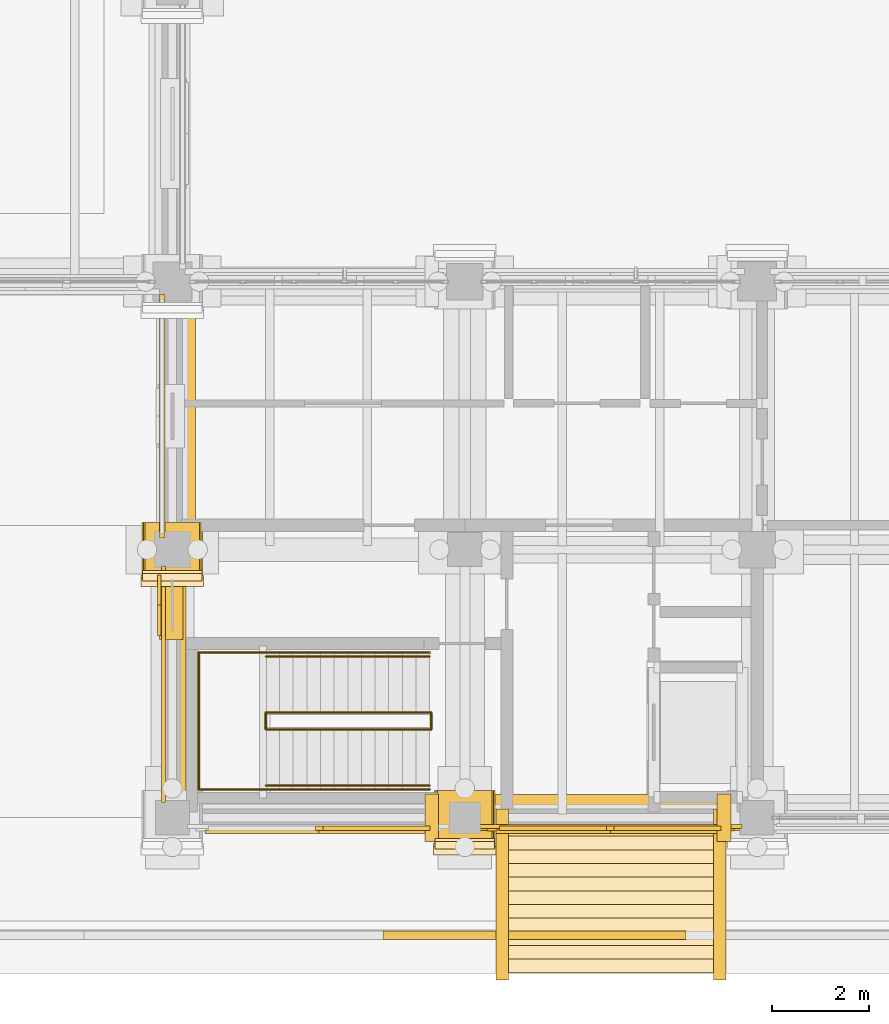
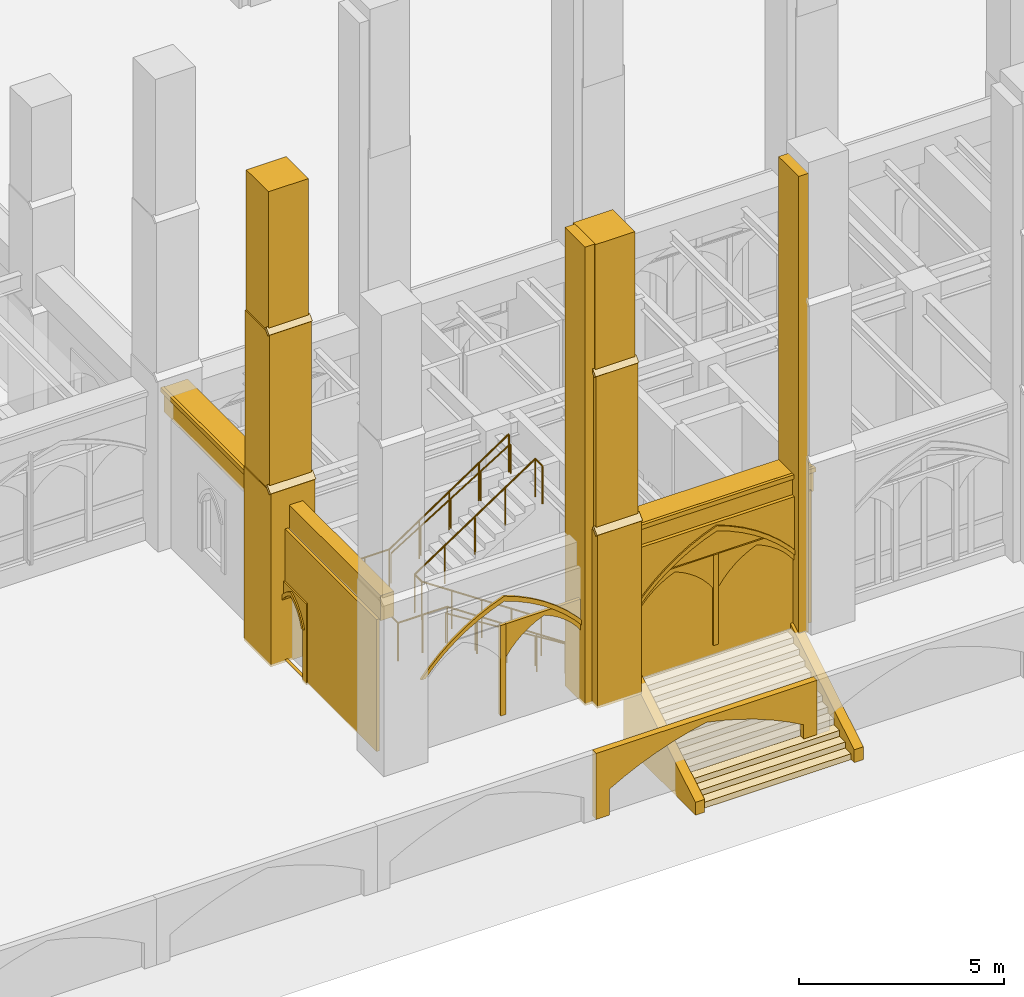
# One storey, part 75 of 135: 33 coverings, 6 railings.
"""IFC4 building model written with IfcOpenShell, lengths in metres."""

from ifc_helpers import new_model, si_unit, direction, frame, origin, origin_2d, place, context, subcontext, project, spatial, polyline, rectangle, circle, outline, extrude, material, type_object, element, save


model = new_model("IFC4")

# Units and contexts
model_context = context("Model", 3, precision=1e-05, world=origin(), true_north=direction((0.0, 1.0)))
body_context = subcontext(model_context, "Body", "Model", "MODEL_VIEW")
ifc_project = project(units=[si_unit("LENGTHUNIT", "METRE"), si_unit("AREAUNIT", "SQUARE_METRE"), si_unit("VOLUMEUNIT", "CUBIC_METRE"), si_unit("PLANEANGLEUNIT", "RADIAN"), si_unit("MASSUNIT", "GRAM", prefix="KILO")], contexts=[model_context])

# Site, building, storey
site_placement = place(None, origin())
site = spatial("IfcSite", under=ifc_project, at=site_placement, CompositionType="ELEMENT")
building_placement = place(site_placement, origin())
building = spatial("IfcBuilding", under=site, at=building_placement, Name="Cumevento Cable Car Station", CompositionType="ELEMENT")
storey_placement = place(building_placement, origin())
storey = spatial("IfcBuildingStorey", under=building, at=storey_placement, Name="L01", CompositionType="ELEMENT", Elevation=0.0)

# Railings
ifc_material_1 = material(Name="Painted Galvanised Architectural Steel", Category="steel")
railing_type_1 = type_object("IfcRailingType", Name="Stair Guardrail GR-S115", PredefinedType="GUARDRAIL", material=ifc_material_1)
railing_1_placement = place(storey_placement, frame((27.280029296875, 5.81005859375, 0.0)))
element("IfcRailing", 1, at=railing_1_placement, inside=storey, type_object=railing_type_1, Name="Stair Well Inner Guardrail ST-02-L01", PredefinedType="GUARDRAIL", context=body_context, shape_type="SweptSolid", body=[
    extrude(circle(Radius=0.02392578125, at=origin_2d()), frame((0.0, 0.0, 1.1259765625), z_axis=(-0.830915400975, 0.0, 0.556398774641), x_axis=(0.0, -1.0, 0.0)), (0.0, 0.0, 1.0), 4.0439453125),
    extrude(circle(Radius=0.02392578125, at=origin_2d()), frame((-3.360107421875, 0.0, 3.3759765625), z_axis=(0.0, 1.0, 0.0), x_axis=(-1.0, 0.0, 0.0)), (0.0, 0.0, 1.0), 0.349853515625),
    extrude(circle(Radius=0.02392578125, at=origin_2d()), frame((-3.360107421875, 0.349853515625, 3.3759765625), z_axis=(0.833193183746, 0.0, 0.552982023722), x_axis=(0.0, 1.0, 0.0)), (0.0, 0.0, 1.0), 4.06884765625),
    extrude(circle(Radius=0.02392578125, at=origin_2d()), frame((0.030029296875, 0.349853515625, 5.6259765625), z_axis=(0.0, -1.0, 0.0), x_axis=(1.0, 0.0, 0.0)), (0.0, 0.0, 1.0), 0.349853515625),
    extrude(circle(Radius=0.02001953125, at=origin_2d()), origin(), (0.0, 0.0, 1.0), 1.101806640625),
    extrude(circle(Radius=0.02001953125, at=origin_2d()), frame((-0.840087890625, 0.0, 0.5625)), (0.0, 0.0, 1.0), 1.101806640625),
    extrude(circle(Radius=0.02001953125, at=origin_2d()), frame((-1.68017578125, 0.0, 1.125)), (0.0, 0.0, 1.0), 1.101806640625),
    extrude(circle(Radius=0.02001953125, at=origin_2d()), frame((-2.52001953125, 0.0, 1.6875)), (0.0, 0.0, 1.0), 1.101806640625),
    extrude(circle(Radius=0.02001953125, at=origin_2d()), frame((-3.360107421875, 0.0, 2.25)), (0.0, 0.0, 1.0), 1.101806640625),
    extrude(circle(Radius=0.02001953125, at=origin_2d()), frame((-3.360107421875, 0.349853515625, 2.25)), (0.0, 0.0, 1.0), 1.101806640625),
    extrude(circle(Radius=0.02001953125, at=origin_2d()), frame((-2.5126953125, 0.349853515625, 2.8125)), (0.0, 0.0, 1.0), 1.101806640625),
    extrude(circle(Radius=0.02001953125, at=origin_2d()), frame((-1.6650390625, 0.349853515625, 3.375)), (0.0, 0.0, 1.0), 1.101806640625),
    extrude(circle(Radius=0.02001953125, at=origin_2d()), frame((-0.8173828125, 0.349853515625, 3.9375)), (0.0, 0.0, 1.0), 1.101806640625),
    extrude(circle(Radius=0.02001953125, at=origin_2d()), frame((0.030029296875, 0.349853515625, 4.5)), (0.0, 0.0, 1.0), 1.101806640625),
    extrude(circle(Radius=0.02001953125, at=origin_2d()), frame((0.030029296875, 0.0, 4.5)), (0.0, 0.0, 1.0), 1.101806640625),
])
railing_2_placement = place(storey_placement, frame((23.919921875, 4.580078125, 2.25)))
element("IfcRailing", 2, at=railing_2_placement, inside=storey, type_object=railing_type_1, Name="Stair Half-Landing Guardrail ST-02-L01", PredefinedType="GUARDRAIL", context=body_context, shape_type="SweptSolid", body=[
    extrude(circle(Radius=0.02392578125, at=origin_2d()), frame((0.0, 0.0, 1.1259765625), z_axis=(-1.0, 0.0, 0.0), x_axis=(0.0, -1.0, 0.0)), (0.0, 0.0, 1.0), 1.3798828125),
    extrude(circle(Radius=0.02392578125, at=origin_2d()), frame((-1.3798828125, 0.0, 1.1259765625), z_axis=(0.0, 1.0, 0.0), x_axis=(-1.0, 0.0, 0.0)), (0.0, 0.0, 1.0), 2.809814453125),
    extrude(circle(Radius=0.02392578125, at=origin_2d()), frame((-1.3798828125, 2.809814453125, 1.1259765625), z_axis=(1.0, 0.0, 0.0), x_axis=(0.0, 1.0, 0.0)), (0.0, 0.0, 1.0), 1.3798828125),
    extrude(circle(Radius=0.02001953125, at=origin_2d()), origin(), (0.0, 0.0, 1.0), 1.101806640625),
    extrude(circle(Radius=0.02001953125, at=origin_2d()), frame((-0.68994140625, 0.0, 0.0)), (0.0, 0.0, 1.0), 1.101806640625),
    extrude(circle(Radius=0.02001953125, at=origin_2d()), frame((-1.3798828125, 0.0, 0.0)), (0.0, 0.0, 1.0), 1.101806640625),
    extrude(circle(Radius=0.02001953125, at=origin_2d()), frame((-1.3798828125, 0.9365234375, 0.0)), (0.0, 0.0, 1.0), 1.101806640625),
    extrude(circle(Radius=0.02001953125, at=origin_2d()), frame((-1.3798828125, 1.873291015625, 0.0)), (0.0, 0.0, 1.0), 1.101806640625),
    extrude(circle(Radius=0.02001953125, at=origin_2d()), frame((-1.3798828125, 2.809814453125, 0.0)), (0.0, 0.0, 1.0), 1.101806640625),
    extrude(circle(Radius=0.02001953125, at=origin_2d()), frame((-0.68994140625, 2.809814453125, 0.0)), (0.0, 0.0, 1.0), 1.101806640625),
    extrude(circle(Radius=0.02001953125, at=origin_2d()), frame((0.0, 2.809814453125, 0.0)), (0.0, 0.0, 1.0), 1.101806640625),
])
railing_3_placement = place(storey_placement, frame((27.280029296875, 4.580078125, 0.0)))
element("IfcRailing", 3, at=railing_3_placement, inside=storey, type_object=railing_type_1, Name="Stair Outer Guardrail ST-02-L01 F1", PredefinedType="GUARDRAIL", context=body_context, shape_type="SweptSolid", body=[
    extrude(circle(Radius=0.02392578125, at=origin_2d()), frame((0.0, 0.0, 1.1259765625), z_axis=(-0.830915400975, 0.0, 0.556398774641), x_axis=(0.0, -1.0, 0.0)), (0.0, 0.0, 1.0), 4.0439453125),
    extrude(circle(Radius=0.02001953125, at=origin_2d()), origin(), (0.0, 0.0, 1.0), 1.101806640625),
    extrude(circle(Radius=0.02001953125, at=origin_2d()), frame((-0.840087890625, 0.0, 0.5625)), (0.0, 0.0, 1.0), 1.101806640625),
    extrude(circle(Radius=0.02001953125, at=origin_2d()), frame((-1.68017578125, 0.0, 1.125)), (0.0, 0.0, 1.0), 1.101806640625),
    extrude(circle(Radius=0.02001953125, at=origin_2d()), frame((-2.52001953125, 0.0, 1.6875)), (0.0, 0.0, 1.0), 1.101806640625),
    extrude(circle(Radius=0.02001953125, at=origin_2d()), frame((-3.360107421875, 0.0, 2.25)), (0.0, 0.0, 1.0), 1.101806640625),
])
railing_4_placement = place(storey_placement, frame((23.919921875, 7.389892578125, 2.25)))
element("IfcRailing", 4, at=railing_4_placement, inside=storey, type_object=railing_type_1, Name="Stair Outer Guardrail ST-02-L01 F2", PredefinedType="GUARDRAIL", context=body_context, shape_type="SweptSolid", body=[
    extrude(circle(Radius=0.02392578125, at=origin_2d()), frame((0.0, 0.0, 1.1259765625), z_axis=(0.830915400975, 0.0, 0.556398774641), x_axis=(0.0, 1.0, 0.0)), (0.0, 0.0, 1.0), 4.0439453125),
    extrude(circle(Radius=0.02001953125, at=origin_2d()), origin(), (0.0, 0.0, 1.0), 1.101806640625),
    extrude(circle(Radius=0.02001953125, at=origin_2d()), frame((0.840087890625, 0.0, 0.5625)), (0.0, 0.0, 1.0), 1.101806640625),
    extrude(circle(Radius=0.02001953125, at=origin_2d()), frame((1.68017578125, 0.0, 1.125)), (0.0, 0.0, 1.0), 1.101806640625),
    extrude(circle(Radius=0.02001953125, at=origin_2d()), frame((2.52001953125, 0.0, 1.6875)), (0.0, 0.0, 1.0), 1.101806640625),
    extrude(circle(Radius=0.02001953125, at=origin_2d()), frame((3.360107421875, 0.0, 2.25)), (0.0, 0.0, 1.0), 1.101806640625),
])
ifc_material_2 = material(Name="Brushed Stainless Steel Handrail Tube", Category="steel")
railing_type_2 = type_object("IfcRailingType", Name="Stair Handrail HR-090", PredefinedType="HANDRAIL", material=ifc_material_2)
railing_5_placement = place(storey_placement, frame((27.280029296875, 4.659912109375, 0.17626953125)))
element("IfcRailing", 5, at=railing_5_placement, inside=storey, type_object=railing_type_2, Name="Stair Pitch Handrail ST-02-L01 F1", PredefinedType="HANDRAIL", context=body_context, shape_type="SweptSolid", body=[
    extrude(circle(Radius=0.02099609375, at=origin_2d()), frame((0.0, 0.0, 0.87890625), z_axis=(-0.850623216509, 0.0, 0.525775754039), x_axis=(0.0, -1.0, 0.0)), (0.0, 0.0, 1.0), 3.9501953125),
    extrude(circle(Radius=0.01611328125, at=origin_2d()), origin(), (0.0, 0.0, 1.0), 0.85791015625),
    extrude(circle(Radius=0.01611328125, at=origin_2d()), frame((-0.840087890625, 0.0, 0.519287109375)), (0.0, 0.0, 1.0), 0.85791015625),
    extrude(circle(Radius=0.01611328125, at=origin_2d()), frame((-1.68017578125, 0.0, 1.03857421875)), (0.0, 0.0, 1.0), 0.85791015625),
    extrude(circle(Radius=0.01611328125, at=origin_2d()), frame((-2.52001953125, 0.0, 1.5576171875)), (0.0, 0.0, 1.0), 0.85791015625),
    extrude(circle(Radius=0.01611328125, at=origin_2d()), frame((-3.360107421875, 0.0, 2.076904296875)), (0.0, 0.0, 1.0), 0.85791015625),
])
railing_6_placement = place(storey_placement, frame((23.919921875, 7.31005859375, 2.42626953125)))
element("IfcRailing", 6, at=railing_6_placement, inside=storey, type_object=railing_type_2, Name="Stair Pitch Handrail ST-02-L01 F2", PredefinedType="HANDRAIL", context=body_context, shape_type="SweptSolid", body=[
    extrude(circle(Radius=0.02099609375, at=origin_2d()), frame((0.0, 0.0, 0.87890625), z_axis=(0.850623216509, 0.0, 0.525775754039), x_axis=(0.0, 1.0, 0.0)), (0.0, 0.0, 1.0), 3.9501953125),
    extrude(circle(Radius=0.01611328125, at=origin_2d()), origin(), (0.0, 0.0, 1.0), 0.85791015625),
    extrude(circle(Radius=0.01611328125, at=origin_2d()), frame((0.840087890625, 0.0, 0.519287109375)), (0.0, 0.0, 1.0), 0.85791015625),
    extrude(circle(Radius=0.01611328125, at=origin_2d()), frame((1.68017578125, 0.0, 1.03857421875)), (0.0, 0.0, 1.0), 0.85791015625),
    extrude(circle(Radius=0.01611328125, at=origin_2d()), frame((2.52001953125, 0.0, 1.5576171875)), (0.0, 0.0, 1.0), 0.85791015625),
    extrude(circle(Radius=0.01611328125, at=origin_2d()), frame((3.360107421875, 0.0, 2.076904296875)), (0.0, 0.0, 1.0), 0.85791015625),
])

# Coverings
ifc_material_3 = material(Name="Gnaisse Facoidal Stone Ashlar 85 MPa", Category="masonry")
covering_type = type_object("IfcCoveringType", Name="Gnaisse Ashlar Cladding CV-CL01", PredefinedType="CLADDING", material=ifc_material_3)
covering_1_placement = place(storey_placement, frame((22.0, 9.409912109375, -0.06005859375), z_axis=(0.0, 0.0, 1.0), x_axis=(1.0, 0.0, 0.0)))
element("IfcCovering", 7, at=covering_1_placement, inside=storey, type_object=covering_type, Name="Stepped Gothic Stone Buttress Tier 1 bt:22.0:9.5", PredefinedType="CLADDING", context=body_context, shape_type="SweptSolid", body=[
    extrude(rectangle(XDim=1.239990234375, YDim=1.300048828125, at=origin_2d()), origin(), (0.0, 0.0, 1.0), 5.175537109375),
])
covering_2_placement = place(storey_placement, frame((21.360107421875, 8.739990234375, 5.095703125), z_axis=(0.0, -0.711135781079, 0.703054692658), x_axis=(1.0, 0.0, 0.0)))
element("IfcCovering", 8, at=covering_2_placement, inside=storey, type_object=covering_type, Name="Gothic Buttress Sloped Stone Weathering 1 bt:22.0:9.5", PredefinedType="CLADDING", context=body_context, shape_type="SweptSolid", body=[
    extrude(outline(polyline([(0.0, 0.0), (1.27978515625, 0.0), (1.27978515625, 0.24169083397703695), (0.0, 0.24169083397703695), (0.0, 0.0)])), origin(), (0.0, 0.0, -1.0), 0.090087890625),
])
covering_3_placement = place(storey_placement, frame((22.0, 9.469970703125, 4.84326171875), z_axis=(0.0, 0.0, 1.0), x_axis=(1.0, 0.0, 0.0)))
element("IfcCovering", 9, at=covering_3_placement, inside=storey, type_object=covering_type, Name="Stepped Gothic Stone Buttress Tier 2 bt:22.0:9.5", PredefinedType="CLADDING", context=body_context, shape_type="SweptSolid", body=[
    extrude(rectangle(XDim=1.179931640625, YDim=1.179931640625, at=origin_2d()), origin(), (0.0, 0.0, 1.0), 4.9033203125),
])
covering_4_placement = place(storey_placement, frame((21.389892578125, 8.860107421875, 9.726318359375), z_axis=(0.0, -0.714474823669, 0.699661151089), x_axis=(1.0, 0.0, 0.0)))
element("IfcCovering", 10, at=covering_4_placement, inside=storey, type_object=covering_type, Name="Gothic Buttress Sloped Stone Weathering 2 bt:22.0:9.5", PredefinedType="CLADDING", context=body_context, shape_type="SweptSolid", body=[
    extrude(outline(polyline([(0.0, 0.0), (1.22021484375, 0.0), (1.22021484375, 0.21424991728737655), (0.0, 0.21424991728737655), (0.0, 0.0)])), origin(), (0.0, 0.0, -1.0), 0.090087890625),
])
covering_5_placement = place(storey_placement, frame((22.0, 9.52001953125, 9.47412109375), z_axis=(0.0, 0.0, 1.0), x_axis=(1.0, 0.0, 0.0)))
element("IfcCovering", 11, at=covering_5_placement, inside=storey, type_object=covering_type, Name="Stepped Gothic Stone Buttress Tier 3 bt:22.0:9.5", PredefinedType="CLADDING", context=body_context, shape_type="SweptSolid", body=[
    extrude(rectangle(XDim=1.1201171875, YDim=1.080078125, at=origin_2d()), origin(), (0.0, 0.0, 1.0), 4.426025390625),
])
covering_6_placement = place(storey_placement, frame((28.0, 3.909912109375, -0.06005859375), z_axis=(0.0, 0.0, 1.0), x_axis=(1.0, 0.0, 0.0)))
element("IfcCovering", 12, at=covering_6_placement, inside=storey, type_object=covering_type, Name="Stepped Gothic Stone Buttress Tier 1 bt:28.0:4.0", PredefinedType="CLADDING", context=body_context, shape_type="SweptSolid", body=[
    extrude(rectangle(XDim=1.239990234375, YDim=1.300048828125, at=origin_2d()), origin(), (0.0, 0.0, 1.0), 5.175537109375),
])
covering_7_placement = place(storey_placement, frame((27.360107421875, 3.239990234375, 5.095703125), z_axis=(0.0, -0.711135781079, 0.703054692658), x_axis=(1.0, 0.0, 0.0)))
element("IfcCovering", 13, at=covering_7_placement, inside=storey, type_object=covering_type, Name="Gothic Buttress Sloped Stone Weathering 1 bt:28.0:4.0", PredefinedType="CLADDING", context=body_context, shape_type="SweptSolid", body=[
    extrude(outline(polyline([(0.0, 0.0), (1.27978515625, 0.0), (1.27978515625, 0.24169083397703695), (0.0, 0.24169083397703695), (0.0, 0.0)])), origin(), (0.0, 0.0, -1.0), 0.090087890625),
])
covering_8_placement = place(storey_placement, frame((28.0, 3.969970703125, 4.84326171875), z_axis=(0.0, 0.0, 1.0), x_axis=(1.0, 0.0, 0.0)))
element("IfcCovering", 14, at=covering_8_placement, inside=storey, type_object=covering_type, Name="Stepped Gothic Stone Buttress Tier 2 bt:28.0:4.0", PredefinedType="CLADDING", context=body_context, shape_type="SweptSolid", body=[
    extrude(rectangle(XDim=1.179931640625, YDim=1.179931640625, at=origin_2d()), origin(), (0.0, 0.0, 1.0), 4.9033203125),
])
covering_9_placement = place(storey_placement, frame((27.389892578125, 3.360107421875, 9.726318359375), z_axis=(0.0, -0.714474823669, 0.699661151089), x_axis=(1.0, 0.0, 0.0)))
element("IfcCovering", 15, at=covering_9_placement, inside=storey, type_object=covering_type, Name="Gothic Buttress Sloped Stone Weathering 2 bt:28.0:4.0", PredefinedType="CLADDING", context=body_context, shape_type="SweptSolid", body=[
    extrude(outline(polyline([(0.0, 0.0), (1.22021484375, 0.0), (1.22021484375, 0.21424991728737655), (0.0, 0.21424991728737655), (0.0, 0.0)])), origin(), (0.0, 0.0, -1.0), 0.090087890625),
])
covering_10_placement = place(storey_placement, frame((28.0, 4.02001953125, 9.47412109375), z_axis=(0.0, 0.0, 1.0), x_axis=(1.0, 0.0, 0.0)))
element("IfcCovering", 16, at=covering_10_placement, inside=storey, type_object=covering_type, Name="Stepped Gothic Stone Buttress Tier 3 bt:28.0:4.0", PredefinedType="CLADDING", context=body_context, shape_type="SweptSolid", body=[
    extrude(rectangle(XDim=1.1201171875, YDim=1.080078125, at=origin_2d()), origin(), (0.0, 0.0, 1.0), 4.0859375),
])
for number, where, z_axis, x_axis, name in (
    (17, (27.320068359375, 4.0, -0.06005859375), (0.0, 0.0, 1.0), (1.0, 0.0, 0.0), "Corner Buttress Stone Return (28.0,4.0)"),
    (18, (33.320068359375, 4.0, -0.06005859375), (0.0, 0.0, 1.0), (1.0, 0.0, 0.0), "Corner Buttress Stone Return (34.0,4.0)"),
):
    element("IfcCovering", number, at=place(storey_placement, frame(where, z_axis=z_axis, x_axis=x_axis)), inside=storey, type_object=covering_type, Name=name, PredefinedType="CLADDING", context=body_context, shape_type="SweptSolid", body=[
        extrude(rectangle(XDim=0.280029296875, YDim=0.97998046875, at=origin_2d()), origin(), (0.0, 0.0, 1.0), 13.6201171875),
    ])
covering_11_placement = place(storey_placement, frame((30.987548828125, 4.14990234375, 3.821044921875), z_axis=(0.0, 0.0, 1.0), x_axis=(-1.0, 0.0, 0.0)))
element("IfcCovering", 19, at=covering_11_placement, inside=storey, type_object=covering_type, Name="Gothic Stone Spandrel Stringcourse sc:0002", PredefinedType="CLADDING", context=body_context, shape_type="SweptSolid", body=[
    extrude(rectangle(XDim=5.56494140625, YDim=0.659912109375, at=origin_2d()), origin(), (0.0, 0.0, 1.0), 0.7470703125),
])
covering_12_placement = place(storey_placement, frame((30.987548828125, 3.79248046875, 4.43798828125), z_axis=(0.0, 0.0, 1.0), x_axis=(-1.0, 0.0, 0.0)))
element("IfcCovering", 20, at=covering_12_placement, inside=storey, type_object=covering_type, Name="Gothic Cornice Dripstone Lip sc:0002", PredefinedType="CLADDING", context=body_context, shape_type="SweptSolid", body=[
    extrude(rectangle(XDim=5.60498046875, YDim=0.114990234375, at=origin_2d()), origin(), (0.0, 0.0, 1.0), 0.1298828125),
])
covering_13_placement = place(storey_placement, frame((22.090087890625, 6.737548828125, 3.821044921875), z_axis=(0.0, 0.0, 1.0), x_axis=(0.0, 1.0, 0.0)))
element("IfcCovering", 21, at=covering_13_placement, inside=storey, type_object=covering_type, Name="Gothic Stone Spandrel Stringcourse sc:0009", PredefinedType="CLADDING", context=body_context, shape_type="SweptSolid", body=[
    extrude(rectangle(XDim=4.8349609375, YDim=0.3798828125, at=origin_2d()), origin(), (0.0, 0.0, 1.0), 0.7470703125),
])
covering_14_placement = place(storey_placement, frame((22.14990234375, 12.237548828125, 3.7490234375), z_axis=(0.0, 0.0, 1.0), x_axis=(0.0, 1.0, 0.0)))
element("IfcCovering", 22, at=covering_14_placement, inside=storey, type_object=covering_type, Name="Gothic Stone Spandrel Stringcourse sc:0010", PredefinedType="CLADDING", context=body_context, shape_type="SweptSolid", body=[
    extrude(rectangle(XDim=4.965087890625, YDim=0.659912109375, at=origin_2d()), origin(), (0.0, 0.0, 1.0), 0.7470703125),
])
covering_15_placement = place(storey_placement, frame((21.79248046875, 12.237548828125, 4.365966796875), z_axis=(0.0, 0.0, 1.0), x_axis=(0.0, 1.0, 0.0)))
element("IfcCovering", 23, at=covering_15_placement, inside=storey, type_object=covering_type, Name="Gothic Cornice Dripstone Lip sc:0010", PredefinedType="CLADDING", context=body_context, shape_type="SweptSolid", body=[
    extrude(rectangle(XDim=5.0048828125, YDim=0.114990234375, at=origin_2d()), origin(), (0.0, 0.0, 1.0), 0.1298828125),
])
covering_16_placement = place(storey_placement, frame((27.4951171875, 4.0, 2.17333984375), z_axis=(0.0, 0.0, 1.0), x_axis=(-1.0, 0.0, 0.0)))
element("IfcCovering", 24, at=covering_16_placement, inside=storey, type_object=covering_type, Name="Gothic Pointed Archivolt Hood Moulding blind_ogival:0110", PredefinedType="CLADDING", context=body_context, shape_type="SweptSolid", body=[
    extrude(outline(polyline([(0.260009765625, 0.0), (0.5205078125, 0.29052734375), (0.80322265625, 0.559326171875), (1.106201171875, 0.804931640625), (1.427734375, 1.026123046875), (1.765625, 1.220947265625), (2.117919921875, 1.388427734375), (2.482421875, 1.527587890625), (2.84716796875, 1.388427734375), (3.199462890625, 1.220947265625), (3.537353515625, 1.026123046875), (3.85888671875, 0.804931640625), (4.161865234375, 0.559326171875), (4.444580078125, 0.29052734375), (4.705078125, 0.0), (4.825927734375, 0.0), (4.555908203125, 0.318115234375), (4.2607421875, 0.61328125), (3.9423828125, 0.883056640625), (3.60302734375, 1.126220703125), (3.2451171875, 1.3408203125), (2.87060546875, 1.525390625), (2.482421875, 1.678955078125), (2.094482421875, 1.525390625), (1.719970703125, 1.3408203125), (1.362060546875, 1.126220703125), (1.022705078125, 0.883056640625), (0.704345703125, 0.61328125), (0.4091796875, 0.318115234375), (0.138916015625, 0.0), (0.260009765625, 0.0)])), frame((0.0, 0.319580078125, 0.0), z_axis=(0.0, -1.0, 0.0), x_axis=(1.0, 0.0, 0.0)), (0.0, 0.0, 1.0), 0.06689453125),
])
covering_17_placement = place(storey_placement, frame((27.4951171875, 4.0, 0.300048828125), z_axis=(0.0, 0.0, 1.0), x_axis=(-1.0, 0.0, 0.0)))
element("IfcCovering", 25, at=covering_17_placement, inside=storey, type_object=covering_type, Name="Gothic Bifora Stone Colonnette blind_ogival:0110 #1", PredefinedType="CLADDING", context=body_context, shape_type="SweptSolid", body=[
    extrude(outline(polyline([(2.407470703125, -0.02001953125), (2.5576171875, -0.02001953125), (2.5576171875, 2.667724609375), (2.407470703125, 2.667724609375), (2.407470703125, -0.02001953125)])), frame((0.0, 0.265380859375, 0.0), z_axis=(0.0, -1.0, 0.0), x_axis=(1.0, 0.0, 0.0)), (0.0, 0.0, 1.0), 0.094970703125),
])
covering_18_placement = place(storey_placement, frame((27.264892578125, 4.0, 1.993408203125), z_axis=(0.0, 0.0, 1.0), x_axis=(-1.0, 0.0, 0.0)))
element("IfcCovering", 26, at=covering_18_placement, inside=storey, type_object=covering_type, Name="Gothic Ogival Pointed-Arch Stone Spandrel blind_ogival:0110:sub:0", PredefinedType="CLADDING", context=body_context, shape_type="SweptSolid", body=[
    extrude(outline(polyline([(-0.02001953125, 0.0), (-0.02001953125, 0.974365234375), (2.2275390625, 0.974365234375), (2.2275390625, 0.0), (2.16748046875, 0.0), (2.030517578125, 0.18603515625), (1.875, 0.35693359375), (1.70263671875, 0.5107421875), (1.515380859375, 0.645751953125), (1.31494140625, 0.7607421875), (1.103759765625, 0.8544921875), (0.892578125, 0.7607421875), (0.692138671875, 0.645751953125), (0.5048828125, 0.5107421875), (0.33251953125, 0.35693359375), (0.177001953125, 0.18603515625), (0.0400390625, 0.0), (-0.02001953125, 0.0)])), frame((0.0, 0.261474609375, 0.0), z_axis=(0.0, -1.0, 0.0), x_axis=(1.0, 0.0, 0.0)), (0.0, 0.0, 1.0), 0.090087890625),
])
covering_19_placement = place(storey_placement, frame((33.64990234375, 4.0, 0.0), z_axis=(0.0, 0.0, 1.0), x_axis=(-1.0, 0.0, 0.0)))
element("IfcCovering", 27, at=covering_19_placement, inside=storey, type_object=covering_type, Name="Exterior Gnaisse Stone Wall Ashlar #111", PredefinedType="CLADDING", context=body_context, shape_type="SweptSolid", body=[
    extrude(outline(polyline([(-0.0400390625, -0.02001953125), (5.364990234375, -0.02001953125), (5.364990234375, 3.90087890625), (-0.0400390625, 3.90087890625), (-0.0400390625, -0.02001953125)])), frame((0.0, 0.222412109375, 0.0), z_axis=(0.0, -1.0, 0.0), x_axis=(1.0, 0.0, 0.0)), (0.0, 0.0, 1.0), 0.0849609375),
])
placement = place(storey_placement, frame((33.469970703125, 4.0, 0.300048828125), z_axis=(0.0, 0.0, 1.0), x_axis=(-1.0, 0.0, 0.0)))
element("IfcCovering", 28, at=placement, inside=storey, type_object=covering_type, Name="Gothic Ogival Pointed-Arch Stone Spandrel blind_ogival:0111", PredefinedType="CLADDING", context=body_context, shape_type="SweptSolid", body=[
    extrude(outline(polyline([(-0.050048828125, 0.0), (-0.050048828125, 3.62109375), (5.014892578125, 3.62109375), (5.014892578125, 0.0), (4.705078125, 0.0), (4.705078125, 1.873291015625), (4.444580078125, 2.163818359375), (4.161865234375, 2.4326171875), (3.85888671875, 2.67822265625), (3.537353515625, 2.8994140625), (3.199462890625, 3.09423828125), (2.84716796875, 3.26171875), (2.482421875, 3.40087890625), (2.117919921875, 3.26171875), (1.765625, 3.09423828125), (1.427734375, 2.8994140625), (1.106201171875, 2.67822265625), (0.80322265625, 2.4326171875), (0.5205078125, 2.163818359375), (0.260009765625, 1.873291015625), (0.260009765625, 0.0), (-0.050048828125, 0.0)])), frame((0.0, 0.277587890625, 0.0), z_axis=(0.0, -1.0, 0.0), x_axis=(1.0, 0.0, 0.0)), (0.0, 0.0, 1.0), 0.110107421875),
])
covering_21_placement = place(storey_placement, frame((33.469970703125, 4.0, 2.17333984375), z_axis=(0.0, 0.0, 1.0), x_axis=(-1.0, 0.0, 0.0)))
element("IfcCovering", 29, at=covering_21_placement, inside=storey, type_object=covering_type, Name="Gothic Pointed Archivolt Hood Moulding blind_ogival:0111", PredefinedType="CLADDING", context=body_context, shape_type="SweptSolid", body=[
    extrude(outline(polyline([(0.260009765625, 0.0), (0.5205078125, 0.29052734375), (0.80322265625, 0.559326171875), (1.106201171875, 0.804931640625), (1.427734375, 1.026123046875), (1.765625, 1.220947265625), (2.117919921875, 1.388427734375), (2.482421875, 1.527587890625), (2.84716796875, 1.388427734375), (3.199462890625, 1.220947265625), (3.537353515625, 1.026123046875), (3.85888671875, 0.804931640625), (4.161865234375, 0.559326171875), (4.444580078125, 0.29052734375), (4.705078125, 0.0), (4.825927734375, 0.0), (4.555908203125, 0.318115234375), (4.2607421875, 0.61328125), (3.9423828125, 0.883056640625), (3.60302734375, 1.126220703125), (3.2451171875, 1.3408203125), (2.87060546875, 1.525390625), (2.482421875, 1.678955078125), (2.094482421875, 1.525390625), (1.719970703125, 1.3408203125), (1.362060546875, 1.126220703125), (1.022705078125, 0.883056640625), (0.704345703125, 0.61328125), (0.4091796875, 0.318115234375), (0.138916015625, 0.0), (0.260009765625, 0.0)])), frame((0.0, 0.319580078125, 0.0), z_axis=(0.0, -1.0, 0.0), x_axis=(1.0, 0.0, 0.0)), (0.0, 0.0, 1.0), 0.06689453125),
])
element("IfcCovering", 30, at=placement, inside=storey, type_object=covering_type, Name="Gothic Bifora Stone Colonnette blind_ogival:0111 #1", PredefinedType="CLADDING", context=body_context, shape_type="SweptSolid", body=[
    extrude(outline(polyline([(2.407470703125, -0.02001953125), (2.5576171875, -0.02001953125), (2.5576171875, 2.667724609375), (2.407470703125, 2.667724609375), (2.407470703125, -0.02001953125)])), frame((0.0, 0.265380859375, 0.0), z_axis=(0.0, -1.0, 0.0), x_axis=(1.0, 0.0, 0.0)), (0.0, 0.0, 1.0), 0.094970703125),
])
for number, where, z_axis, x_axis, name in (
    (31, (33.239990234375, 4.0, 1.993408203125), (0.0, 0.0, 1.0), (-1.0, 0.0, 0.0), "Gothic Ogival Pointed-Arch Stone Spandrel blind_ogival:0111:sub:0"),
    (32, (30.9423828125, 4.0, 1.993408203125), (0.0, 0.0, 1.0), (-1.0, 0.0, 0.0), "Gothic Ogival Pointed-Arch Stone Spandrel blind_ogival:0111:sub:1"),
):
    element("IfcCovering", number, at=place(storey_placement, frame(where, z_axis=z_axis, x_axis=x_axis)), inside=storey, type_object=covering_type, Name=name, PredefinedType="CLADDING", context=body_context, shape_type="SweptSolid", body=[
        extrude(outline(polyline([(-0.02001953125, 0.0), (-0.02001953125, 0.974365234375), (2.2275390625, 0.974365234375), (2.2275390625, 0.0), (2.16748046875, 0.0), (2.030517578125, 0.18603515625), (1.875, 0.35693359375), (1.70263671875, 0.5107421875), (1.515380859375, 0.645751953125), (1.31494140625, 0.7607421875), (1.103759765625, 0.8544921875), (0.892578125, 0.7607421875), (0.692138671875, 0.645751953125), (0.5048828125, 0.5107421875), (0.33251953125, 0.35693359375), (0.177001953125, 0.18603515625), (0.0400390625, 0.0), (-0.02001953125, 0.0)])), frame((0.0, 0.261474609375, 0.0), z_axis=(0.0, -1.0, 0.0), x_axis=(1.0, 0.0, 0.0)), (0.0, 0.0, 1.0), 0.090087890625),
    ])
covering_23_placement = place(storey_placement, frame((22.0, 4.35009765625, 0.0), z_axis=(0.0, 0.0, 1.0), x_axis=(0.0, 1.0, 0.0)))
element("IfcCovering", 33, at=covering_23_placement, inside=storey, type_object=covering_type, Name="Exterior Gnaisse Stone Wall Ashlar #114", PredefinedType="CLADDING", context=body_context, shape_type="SweptSolid", body=[
    extrude(outline(polyline([(-0.0400390625, -0.02001953125), (4.81494140625, -0.02001953125), (4.81494140625, 3.90087890625), (-0.0400390625, 3.90087890625), (-0.0400390625, -0.02001953125)]), holes=[polyline([(3.4951171875, 0.02001953125), (4.52490234375, 0.02001953125), (4.52490234375, 2.1298828125), (3.4951171875, 2.1298828125), (3.4951171875, 0.02001953125)])]), frame((0.0, 0.222412109375, 0.0), z_axis=(0.0, -1.0, 0.0), x_axis=(1.0, 0.0, 0.0)), (0.0, 0.0, 1.0), 0.0849609375),
])
covering_24_placement = place(storey_placement, frame((22.0, 7.695068359375, -0.050048828125), z_axis=(0.0, 0.0, 1.0), x_axis=(0.0, 1.0, 0.0)))
element("IfcCovering", 34, at=covering_24_placement, inside=storey, type_object=covering_type, Name="Gothic Ogival Pointed-Arch Stone Spandrel op_ogival:0114:1", PredefinedType="CLADDING", context=body_context, shape_type="SweptSolid", body=[
    extrude(outline(polyline([(-0.0400390625, 0.0), (-0.0400390625, 2.409912109375), (1.3701171875, 2.409912109375), (1.3701171875, 0.0), (1.18994140625, 0.0), (1.18994140625, 1.5908203125), (1.149658203125, 1.705322265625), (1.09619140625, 1.814453125), (1.030517578125, 1.91650390625), (0.95361328125, 2.01025390625), (0.8662109375, 2.094482421875), (0.76953125, 2.168212890625), (0.6650390625, 2.22998046875), (0.560546875, 2.168212890625), (0.4638671875, 2.094482421875), (0.37646484375, 2.01025390625), (0.299560546875, 1.91650390625), (0.23388671875, 1.814453125), (0.180419921875, 1.705322265625), (0.139892578125, 1.5908203125), (0.139892578125, 0.0), (-0.0400390625, 0.0)])), frame((0.0, 0.260498046875, 0.0), z_axis=(0.0, -1.0, 0.0), x_axis=(1.0, 0.0, 0.0)), (0.0, 0.0, 1.0), 0.47509765625),
])
covering_25_placement = place(storey_placement, frame((22.0, 7.695068359375, 1.540771484375), z_axis=(0.0, 0.0, 1.0), x_axis=(0.0, 1.0, 0.0)))
element("IfcCovering", 35, at=covering_25_placement, inside=storey, type_object=covering_type, Name="Gothic Pointed Archivolt Hood Moulding op_ogival:0114:1", PredefinedType="CLADDING", context=body_context, shape_type="SweptSolid", body=[
    extrude(outline(polyline([(0.139892578125, 0.0), (0.180419921875, 0.114501953125), (0.23388671875, 0.2236328125), (0.299560546875, 0.32568359375), (0.37646484375, 0.41943359375), (0.4638671875, 0.503662109375), (0.560546875, 0.577392578125), (0.6650390625, 0.63916015625), (0.76953125, 0.577392578125), (0.8662109375, 0.503662109375), (0.95361328125, 0.41943359375), (1.030517578125, 0.32568359375), (1.09619140625, 0.2236328125), (1.149658203125, 0.114501953125), (1.18994140625, 0.0), (1.2890625, 0.0), (1.2412109375, 0.136474609375), (1.177978515625, 0.2666015625), (1.10009765625, 0.388671875), (1.00830078125, 0.50048828125), (0.904541015625, 0.60107421875), (0.78955078125, 0.68896484375), (0.6650390625, 0.762939453125), (0.54052734375, 0.68896484375), (0.425537109375, 0.60107421875), (0.32177734375, 0.50048828125), (0.22998046875, 0.388671875), (0.152099609375, 0.2666015625), (0.0888671875, 0.136474609375), (0.041015625, 0.0), (0.139892578125, 0.0)])), frame((0.0, 0.302490234375, 0.0), z_axis=(0.0, -1.0, 0.0), x_axis=(1.0, 0.0, 0.0)), (0.0, 0.0, 1.0), 0.06689453125),
])
covering_26_placement = place(storey_placement, frame((32.520263671875, 1.64990234375, -1.919921875), z_axis=(0.0, 0.0, 1.0), x_axis=(-1.0, 0.0, 0.0)))
element("IfcCovering", 36, at=covering_26_placement, inside=storey, type_object=covering_type, Name="Gothic Ogival Pointed-Arch Stone Spandrel cumevento_plinth:plinth_arch:S:4", PredefinedType="CLADDING", context=body_context, shape_type="SweptSolid", body=[
    extrude(outline(polyline([(-0.02001953125, 0.0), (-0.02001953125, 1.9599609375), (6.194091796875, 1.9599609375), (6.194091796875, 0.0), (5.81396484375, 0.0), (5.81396484375, 0.77001953125), (5.3857421875, 1.00390625), (4.945068359375, 1.213623046875), (4.493408203125, 1.3984375), (4.0322265625, 1.558349609375), (3.56298828125, 1.692138671875), (3.087158203125, 1.800048828125), (2.611083984375, 1.692138671875), (2.141845703125, 1.558349609375), (1.6806640625, 1.3984375), (1.22900390625, 1.213623046875), (0.788330078125, 1.00390625), (0.360107421875, 0.77001953125), (0.360107421875, 0.0), (-0.02001953125, 0.0)])), frame((0.0, 0.14990234375, 0.0), z_axis=(0.0, -1.0, 0.0), x_axis=(1.0, 0.0, 0.0)), (0.0, 0.0, 1.0), 0.179931640625),
])
covering_27_placement = place(storey_placement, frame((31.0, 0.820068359375, -2.10009765625), z_axis=(0.0, 0.0, 1.0), x_axis=(0.0, 1.0, 0.0)))
element("IfcCovering", 37, at=covering_27_placement, inside=storey, type_object=covering_type, Name="Stepped Gnaisse Plinth Stairway cumevento_plinth:s_step_w", PredefinedType="CLADDING", context=body_context, shape_type="SweptSolid", body=[
    extrude(outline(polyline([(0.0, 0.0), (0.0, 0.17578125), (0.280029296875, 0.17578125), (0.280029296875, 0.3515625), (0.56005859375, 0.3515625), (0.56005859375, 0.527587890625), (0.840087890625, 0.527587890625), (0.840087890625, 0.703369140625), (1.1201171875, 0.703369140625), (1.1201171875, 0.879150390625), (1.39990234375, 0.879150390625), (1.39990234375, 1.054931640625), (1.679931640625, 1.054931640625), (1.679931640625, 1.230712890625), (1.9599609375, 1.230712890625), (1.9599609375, 1.40673828125), (2.239990234375, 1.40673828125), (2.239990234375, 1.58251953125), (2.52001953125, 1.58251953125), (2.52001953125, 1.75830078125), (2.800048828125, 1.75830078125), (2.800048828125, 1.93408203125), (3.080078125, 1.93408203125), (3.080078125, 2.110107421875), (3.330078125, 2.110107421875), (3.330078125, 0.0), (0.0, 0.0)])), frame((0.0, 2.10009765625, 0.0), z_axis=(0.0, -1.0, 0.0), x_axis=(1.0, 0.0, 0.0)), (0.0, 0.0, 1.0), 4.199951171875),
])
for number, where, z_axis, x_axis, name in (
    (38, (33.22998046875, 0.820068359375, -2.10009765625), (0.0, 0.0, 1.0), (0.0, 1.0, 0.0), "Stone Stair Cheek Parapet cumevento_plinth:s_step_w R"),
    (39, (28.77001953125, 0.820068359375, -2.10009765625), (0.0, 0.0, 1.0), (0.0, 1.0, 0.0), "Stone Stair Cheek Parapet cumevento_plinth:s_step_w L"),
):
    element("IfcCovering", number, at=place(storey_placement, frame(where, z_axis=z_axis, x_axis=x_axis)), inside=storey, type_object=covering_type, Name=name, PredefinedType="CLADDING", context=body_context, shape_type="SweptSolid", body=[
        extrude(outline(polyline([(-0.14990234375, 0.0), (3.360107421875, 0.0), (3.360107421875, 2.489990234375), (-0.14990234375, 0.3798828125), (-0.14990234375, 0.0)])), frame((0.0, 0.1298828125, 0.0), z_axis=(0.0, -1.0, 0.0), x_axis=(1.0, 0.0, 0.0)), (0.0, 0.0, 1.0), 0.260009765625),
    ])

save(model, "model.ifc")
